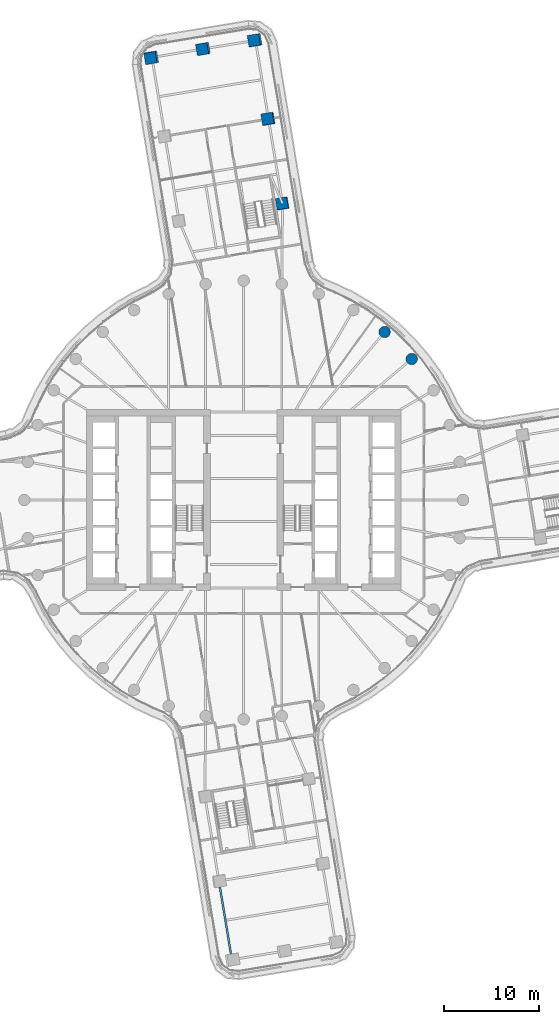
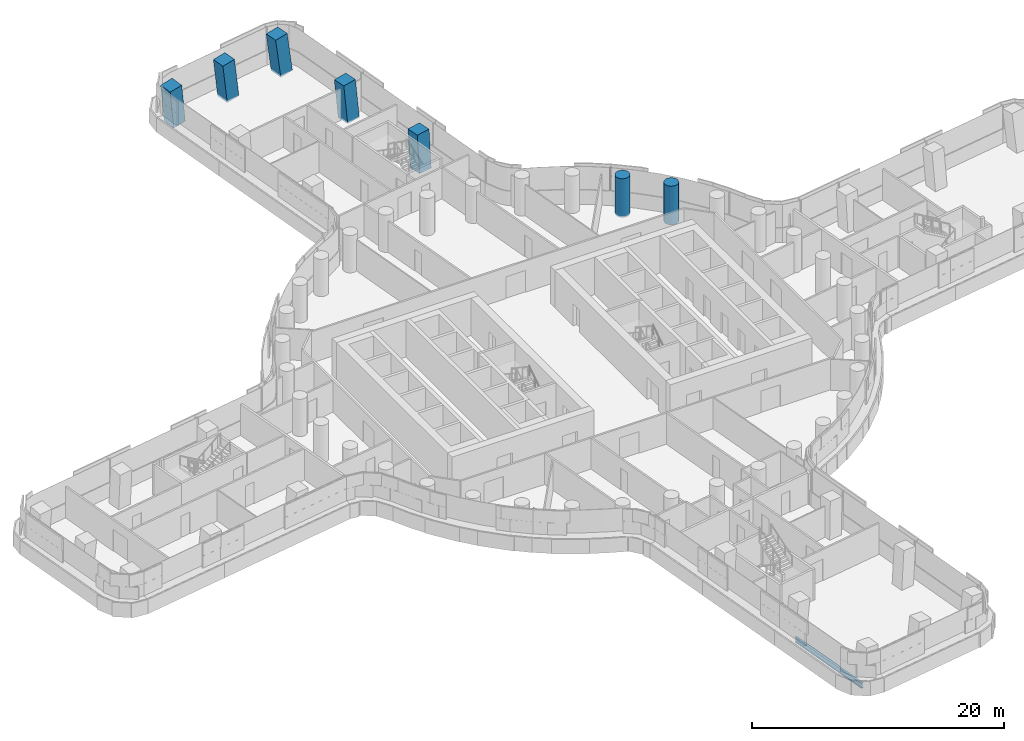
# One storey, part 3 of 32: 7 columns, 1 beam.
"""IFC4 building model written with IfcOpenShell, lengths in metres."""

from ifc_helpers import new_model, si_unit, direction, frame, origin, origin_2d, place, context, subcontext, project, spatial, rectangle, circle, i_section, extrude, material, material_profile, profile_set, type_object, element, save


model = new_model("IFC4")

# Units and contexts
model_context = context("Model", 3, precision=1e-05, world=origin(), true_north=direction((0.0, 1.0)))
body_context = subcontext(model_context, "Body", "Model", "MODEL_VIEW")
ifc_project = project(units=[si_unit("LENGTHUNIT", "METRE"), si_unit("AREAUNIT", "SQUARE_METRE"), si_unit("VOLUMEUNIT", "CUBIC_METRE"), si_unit("PLANEANGLEUNIT", "RADIAN"), si_unit("MASSUNIT", "GRAM", prefix="KILO")], contexts=[model_context])

# Site, building, storey
site_placement = place(None, origin())
site = spatial("IfcSite", under=ifc_project, at=site_placement, CompositionType="ELEMENT")
building_placement = place(site_placement, origin())
building = spatial("IfcBuilding", under=site, at=building_placement, Name="Tamarind Cross Interchange Tower", CompositionType="ELEMENT")
storey_placement = place(building_placement, frame((0.0, 0.0, 67.75)))
storey = spatial("IfcBuildingStorey", under=building, at=storey_placement, Name="L15", CompositionType="ELEMENT", Elevation=67.75)

# Columns
ifc_material_1 = material(Name="Concrete C70", Category="concrete")
ifc_material_profile_1 = material_profile(ifc_material_1, rectangle(XDim=1.199951171875, YDim=1.199951171875, at=origin_2d()), Name="RC 1200x1200")
ifc_profile_set_1 = profile_set([ifc_material_profile_1], Name="Concrete C70")
column_type_1 = type_object("IfcColumnType", Name="Column RC 1200x1200 Concrete C70", PredefinedType="COLUMN", material=ifc_profile_set_1)
column_1_placement = place(storey_placement, frame((2.599365234375, 39.966064453125, -0.138427734375), z_axis=(-0.087105310894, 0.011813089853, 0.996129065795), x_axis=(0.162038865487, -0.986445272806, 0.025867543959)))
element("IfcColumn", 1, at=column_1_placement, inside=storey, type_object=column_type_1, Name="Column L15-044", PredefinedType="COLUMN", context=body_context, shape_type="SweptSolid", body=[
    extrude(rectangle(XDim=1.199951171875, YDim=1.199951171875, at=origin_2d()), origin(), (0.0, 0.0, 1.0), 3.761474609375),
])
column_2_placement = place(storey_placement, frame((4.070068359375, 31.087158203125, -0.138671875), z_axis=(-0.044315827662, 0.01932716713, 0.998830600267), x_axis=(0.16351563828, -0.986189119231, 0.026337371691)))
element("IfcColumn", 2, at=column_2_placement, inside=storey, type_object=column_type_1, Name="Column L15-046", PredefinedType="COLUMN", context=body_context, shape_type="SweptSolid", body=[
    extrude(rectangle(XDim=1.199951171875, YDim=1.199951171875, at=origin_2d()), origin(), (0.0, 0.0, 1.0), 3.751708984375),
])
column_3_placement = place(storey_placement, frame((1.2333984375, 48.214111328125, -0.138671875), z_axis=(-0.125585822985, 6.4635009e-05, 0.992082757076), x_axis=(0.162066752246, -0.986565168569, 0.020579989887)))
element("IfcColumn", 3, at=column_3_placement, inside=storey, type_object=column_type_1, Name="Column L15-047", PredefinedType="COLUMN", context=body_context, shape_type="SweptSolid", body=[
    extrude(rectangle(XDim=1.199951171875, YDim=1.199951171875, at=origin_2d()), origin(), (0.0, 0.0, 1.0), 3.777099609375),
])
column_4_placement = place(storey_placement, frame((-4.192626953125, 47.3154296875, -0.138671875), z_axis=(-0.1210878604, -0.026053607977, 0.992299823428), x_axis=(0.979075915707, 0.161569262409, 0.123716307438)))
element("IfcColumn", 4, at=column_4_placement, inside=storey, type_object=column_type_1, Name="Column L15-048", PredefinedType="COLUMN", context=body_context, shape_type="SweptSolid", body=[
    extrude(rectangle(XDim=1.199951171875, YDim=1.199951171875, at=origin_2d()), origin(), (0.0, 0.0, 1.0), 3.7763671875),
])
column_5_placement = place(storey_placement, frame((-9.61865234375, 46.416748046875, -0.138427734375), z_axis=(-0.116457251456, -0.052153719159, 0.991825437343), x_axis=(0.97939533561, 0.159863217449, 0.123403923324)))
element("IfcColumn", 5, at=column_5_placement, inside=storey, type_object=column_type_1, Name="Column L15-049", PredefinedType="COLUMN", context=body_context, shape_type="SweptSolid", body=[
    extrude(rectangle(XDim=1.199951171875, YDim=1.199951171875, at=origin_2d()), origin(), (0.0, 0.0, 1.0), 3.777587890625),
])
ifc_material_profile_2 = material_profile(ifc_material_1, circle(Radius=0.60009765625, at=origin_2d()), Name="RC D1200")
ifc_profile_set_2 = profile_set([ifc_material_profile_2], Name="Concrete C70")
column_type_2 = type_object("IfcColumnType", Name="Column RC D1200 Concrete C70", PredefinedType="COLUMN", material=ifc_profile_set_2)
for number, where, z_axis, x_axis, name in (
    (6, (17.619140625, 14.7841796875, -0.139892578125), (0.0, 0.0, 1.0), (1.0, 0.0, 0.0), "Column L15-004"),
    (7, (14.7841796875, 17.619140625, -0.139892578125), (0.0, 0.0, 1.0), (1.0, 0.0, 0.0), "Column L15-005"),
):
    element("IfcColumn", number, at=place(storey_placement, frame(where, z_axis=z_axis, x_axis=x_axis)), inside=storey, type_object=column_type_2, Name=name, PredefinedType="COLUMN", context=body_context, shape_type="SweptSolid", body=[
        extrude(circle(Radius=0.60009765625, at=origin_2d()), origin(), (0.0, 0.0, 1.0), 3.75),
    ])

# Beam
ifc_material_2 = material(Name="Steel Q355B", Category="steel")
ifc_material_profile_3 = material_profile(ifc_material_2, i_section(OverallWidth=0.198974609375, OverallDepth=0.49609375, WebThickness=0.009033203125, FlangeThickness=0.013916015625, FilletRadius=0.012939453125, at=origin_2d()), Name="HN 496x199x9x14")
ifc_profile_set_3 = profile_set([ifc_material_profile_3], Name="Steel Q355B")
beam_type = type_object("IfcBeamType", Name="Composite beam HN 496x199x9x14 Q355B", PredefinedType="BEAM", material=ifc_profile_set_3)
beam_placement = place(storey_placement, frame((-1.233642578125, -48.214111328125, -0.387939453125), z_axis=(-0.163385510234, 0.986562301654, 0.0), x_axis=(-0.986562301654, -0.163385510234, 0.0)))
element("IfcBeam", 8, at=beam_placement, inside=storey, type_object=beam_type, Name="Beam S-edgeem5", PredefinedType="BEAM", context=body_context, shape_type="SweptSolid", body=[
    extrude(i_section(OverallWidth=0.198974609375, OverallDepth=0.49609375, WebThickness=0.009033203125, FlangeThickness=0.013916015625, FilletRadius=0.012939453125, at=origin_2d()), origin(), (0.0, 0.0, 1.0), 8.3603515625),
])

save(model, "model.ifc")
